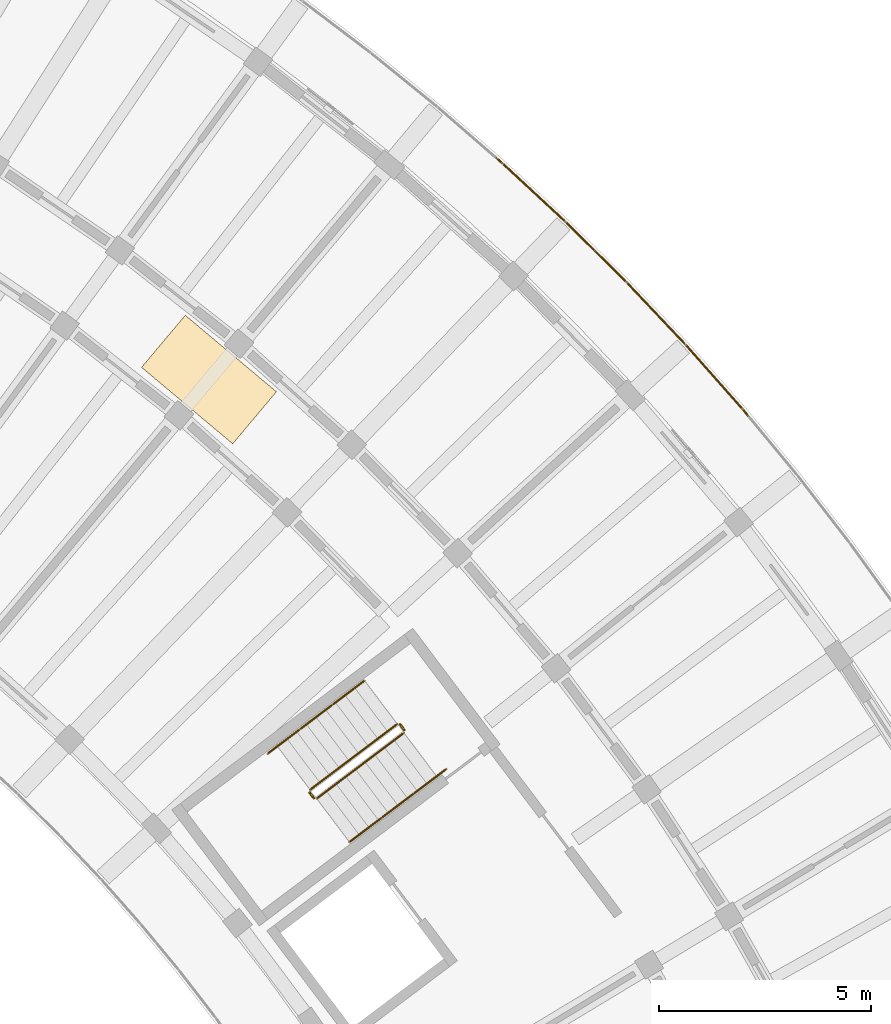
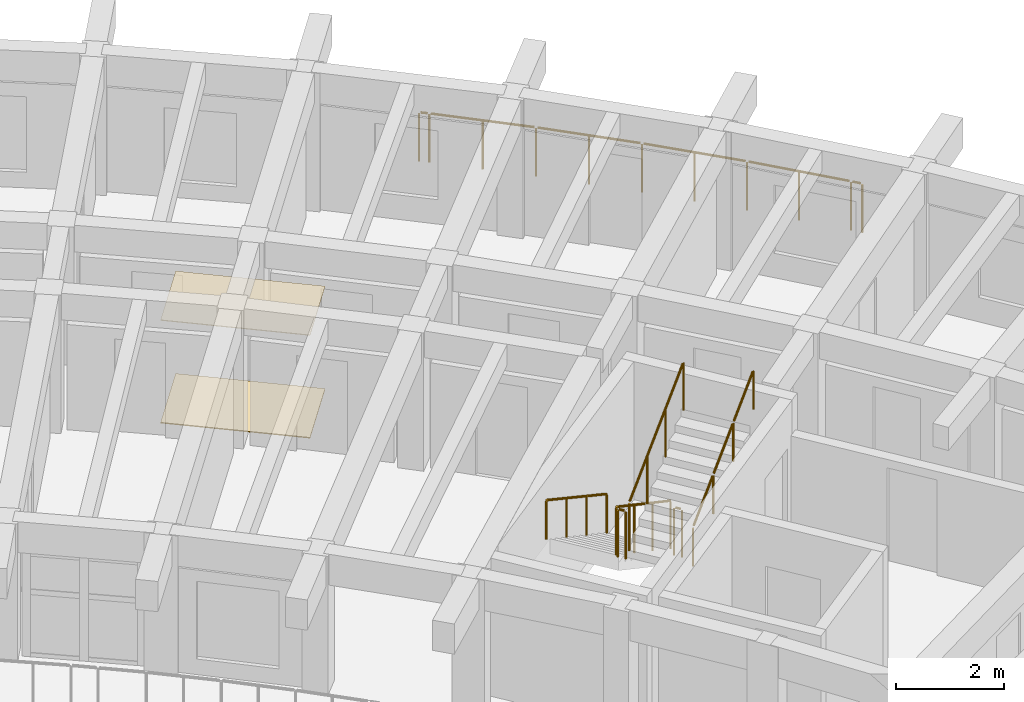
# One storey, part 53 of 56: 11 railings, 2 coverings.
"""IFC4 building model written with IfcOpenShell, lengths in metres."""

from ifc_helpers import new_model, si_unit, direction, frame, origin, origin_2d, place, context, subcontext, project, spatial, rectangle, circle, extrude, material, layer, layer_set, type_object, element, save


model = new_model("IFC4")

# Units and contexts
model_context = context("Model", 3, precision=1e-05, world=origin(), true_north=direction((0.0, 1.0)))
body_context = subcontext(model_context, "Body", "Model", "MODEL_VIEW")
ifc_project = project(units=[si_unit("LENGTHUNIT", "METRE"), si_unit("AREAUNIT", "SQUARE_METRE"), si_unit("VOLUMEUNIT", "CUBIC_METRE"), si_unit("PLANEANGLEUNIT", "RADIAN"), si_unit("MASSUNIT", "GRAM", prefix="KILO")], contexts=[model_context])

# Site, building, storey
site_placement = place(None, origin())
site = spatial("IfcSite", under=ifc_project, at=site_placement, CompositionType="ELEMENT")
building_placement = place(site_placement, origin())
building = spatial("IfcBuilding", under=site, at=building_placement, Name="Tanwirah Colonnade Gardens", CompositionType="ELEMENT")
storey_placement = place(building_placement, frame((0.0, 0.0, 29.0)))
storey = spatial("IfcBuildingStorey", under=building, at=storey_placement, Name="L08", CompositionType="ELEMENT", Elevation=29.0)

# Railing
ifc_material_1 = material(Name="Precast concrete C40/50", Category="concrete")
railing_type_1 = type_object("IfcRailingType", Name="BAL-EXT112", PredefinedType="BALUSTRADE", material=ifc_material_1)
railing_1_placement = place(storey_placement, frame((161.797607421875, 105.974853515625, 0.0)))
element("IfcRailing", 1, at=railing_1_placement, inside=storey, type_object=railing_type_1, Name="Block B L08 Balcony Ribbon Balustrade 14", PredefinedType="BALUSTRADE", context=body_context, shape_type="SweptSolid", body=[
    extrude(circle(Radius=0.02392578125, at=origin_2d()), frame((0.023681640625, -0.0205078125, 1.09619140625), z_axis=(0.755563161002, -0.655075804573, 0.0), x_axis=(0.655075804573, 0.755563161002, 0.0)), (0.0, 0.0, 1.0), 0.12939453125),
    extrude(circle(Radius=0.02392578125, at=origin_2d()), frame((0.16796875, -0.14697265625, 1.09619140625), z_axis=(0.733352454033, -0.679848643569, 0.0), x_axis=(0.679848643569, 0.733352454033, 0.0)), (0.0, 0.0, 1.0), 1.958984375),
    extrude(circle(Radius=0.02392578125, at=origin_2d()), frame((1.649658203125, -1.52197265625, 1.09619140625), z_axis=(0.710480209462, -0.703717181801, 0.0), x_axis=(0.703717181801, 0.710480209462, 0.0)), (0.0, 0.0, 1.0), 1.958984375),
    extrude(circle(Radius=0.02392578125, at=origin_2d()), frame((3.085205078125, -2.9453125, 1.09619140625), z_axis=(0.686960364449, -0.726694886232, 0.0), x_axis=(0.726694886232, 0.686960364449, 0.0)), (0.0, 0.0, 1.0), 1.958984375),
    extrude(circle(Radius=0.02392578125, at=origin_2d()), frame((4.47314453125, -4.4150390625, 1.09619140625), z_axis=(0.662607760508, -0.748966591854, 0.0), x_axis=(0.748966591854, 0.662607760508, 0.0)), (0.0, 0.0, 1.0), 1.958740234375),
    extrude(circle(Radius=0.02392578125, at=origin_2d()), frame((5.811767578125, -5.9296875, 1.09619140625), z_axis=(0.638129498517, -0.769929050707, 0.0), x_axis=(0.769929050707, 0.638129498517, 0.0)), (0.0, 0.0, 1.0), 0.15966796875),
    extrude(circle(Radius=0.02099609375, at=origin_2d()), origin(), (0.0, 0.0, 1.0), 1.069091796875),
    extrude(circle(Radius=0.02099609375, at=origin_2d()), frame((0.14501953125, -0.125732421875, 0.0)), (0.0, 0.0, 1.0), 1.069091796875),
    extrude(circle(Radius=0.02099609375, at=origin_2d()), frame((0.88623046875, -0.81298828125, 0.0)), (0.0, 0.0, 1.0), 1.069091796875),
    extrude(circle(Radius=0.02099609375, at=origin_2d()), frame((1.62744140625, -1.5, 0.0)), (0.0, 0.0, 1.0), 1.069091796875),
    extrude(circle(Radius=0.02099609375, at=origin_2d()), frame((2.345703125, -2.21142578125, 0.0)), (0.0, 0.0, 1.0), 1.069091796875),
    extrude(circle(Radius=0.02099609375, at=origin_2d()), frame((3.063720703125, -2.922607421875, 0.0)), (0.0, 0.0, 1.0), 1.069091796875),
    extrude(circle(Radius=0.02099609375, at=origin_2d()), frame((3.758056640625, -3.6572265625, 0.0)), (0.0, 0.0, 1.0), 1.069091796875),
    extrude(circle(Radius=0.02099609375, at=origin_2d()), frame((4.452392578125, -4.3916015625, 0.0)), (0.0, 0.0, 1.0), 1.069091796875),
    extrude(circle(Radius=0.02099609375, at=origin_2d()), frame((5.1220703125, -5.1484375, 0.0)), (0.0, 0.0, 1.0), 1.069091796875),
    extrude(circle(Radius=0.02099609375, at=origin_2d()), frame((5.791748046875, -5.905517578125, 0.0)), (0.0, 0.0, 1.0), 1.069091796875),
    extrude(circle(Radius=0.02099609375, at=origin_2d()), frame((5.93359375, -6.07666015625, 0.0)), (0.0, 0.0, 1.0), 1.069091796875),
])

# Coverings
ifc_material_2 = material(Name="Acoustic perforated gypsum ceiling board")
ifc_layer_1 = layer(ifc_material_2, 0.014892578125)
ifc_layer_set_1 = layer_set([ifc_layer_1], Name="Acoustic perforated gypsum ceiling board")
covering_type_1 = type_object("IfcCoveringType", Name="COV-CEIL15", PredefinedType="CEILING", material=ifc_layer_set_1)
covering_1_placement = place(storey_placement, frame((155.03564453125, 100.761962890625, 2.3125), z_axis=(0.0, 0.0, 1.0), x_axis=(-0.766044443119, 0.642787609687, 0.0)))
element("IfcCovering", 2, at=covering_1_placement, inside=storey, type_object=covering_type_1, Name="Block B L08 Corridor Acoustic Ceiling", PredefinedType="CEILING", context=body_context, shape_type="SweptSolid", body=[
    extrude(rectangle(XDim=2.800048828125, YDim=1.60009765625, at=origin_2d()), origin(), (0.0, 0.0, 1.0), 0.014892578125),
])
ifc_material_3 = material(Name="Honed Abu Dhabi limestone terrazzo flooring", Category="masonry")
ifc_layer_2 = layer(ifc_material_3, 0.02001953125)
ifc_layer_set_2 = layer_set([ifc_layer_2], Name="Honed Abu Dhabi limestone terrazzo flooring")
covering_type_2 = type_object("IfcCoveringType", Name="COV-FLR20", PredefinedType="FLOORING", material=ifc_layer_set_2)
covering_2_placement = place(storey_placement, frame((155.03564453125, 100.761962890625, 0.0), z_axis=(0.0, 0.0, 1.0), x_axis=(-0.766044443119, 0.642787609687, 0.0)))
element("IfcCovering", 3, at=covering_2_placement, inside=storey, type_object=covering_type_2, Name="Block B L08 Corridor Terrazzo Flooring", PredefinedType="FLOORING", context=body_context, shape_type="SweptSolid", body=[
    extrude(rectangle(XDim=2.800048828125, YDim=1.60009765625, at=origin_2d()), origin(), (0.0, 0.0, 1.0), 0.02001953125),
])

# Railings
ifc_material_4 = material(Name="Powder-coated galvanized steel", Category="steel")
railing_type_2 = type_object("IfcRailingType", Name="GRD-ST110", PredefinedType="GUARDRAIL", material=ifc_material_4)
railing_2_placement = place(storey_placement, frame((159.46435546875, 92.6533203125, 0.16796875)))
element("IfcRailing", 4, at=railing_2_placement, inside=storey, type_object=railing_type_2, Name="L08 ST-B1 stair guard 1", PredefinedType="GUARDRAIL", context=body_context, shape_type="SweptSolid", body=[
    extrude(circle(Radius=0.02392578125, at=origin_2d()), frame((-0.021484375, -0.01611328125, 1.092041015625), z_axis=(-0.687998426946, -0.518417885, 0.507839601678), x_axis=(0.601795686627, -0.798650080797, 0.0)), (0.0, 0.0, 1.0), 2.914794921875),
    extrude(circle(Radius=0.02099609375, at=origin_2d()), origin(), (0.0, 0.0, 1.0), 1.049072265625),
    extrude(circle(Radius=0.02099609375, at=origin_2d()), frame((-0.682861328125, -0.514404296875, 0.50390625)), (0.0, 0.0, 1.0), 1.049072265625),
    extrude(circle(Radius=0.02099609375, at=origin_2d()), frame((-1.365478515625, -1.029052734375, 1.008056640625)), (0.0, 0.0, 1.0), 1.049072265625),
    extrude(circle(Radius=0.02099609375, at=origin_2d()), frame((-2.04833984375, -1.54345703125, 1.511962890625)), (0.0, 0.0, 1.0), 1.049072265625),
])
railing_3_placement = place(storey_placement, frame((157.406005859375, 91.039794921875, 1.679931640625)))
element("IfcRailing", 5, at=railing_3_placement, inside=storey, type_object=railing_type_2, Name="L08 ST-B1 stair guard 2", PredefinedType="GUARDRAIL", context=body_context, shape_type="SweptSolid", body=[
    extrude(circle(Radius=0.02392578125, at=origin_2d()), frame((0.018798828125, -0.02490234375, 1.076171875), z_axis=(0.601948835455, -0.798534657667, 0.0), x_axis=(0.798534657667, 0.601948835455, 0.0)), (0.0, 0.0, 1.0), 0.09765625),
    extrude(circle(Radius=0.02099609375, at=origin_2d()), origin(), (0.0, 0.0, 1.0), 1.049072265625),
    extrude(circle(Radius=0.02099609375, at=origin_2d()), frame((0.096435546875, -0.1279296875, 0.0)), (0.0, 0.0, 1.0), 1.049072265625),
])
railing_4_placement = place(storey_placement, frame((157.572265625, 90.902099609375, 1.847900390625)))
element("IfcRailing", 6, at=railing_4_placement, inside=storey, type_object=railing_type_2, Name="L08 ST-B1 stair guard 3", PredefinedType="GUARDRAIL", context=body_context, shape_type="SweptSolid", body=[
    extrude(circle(Radius=0.02392578125, at=origin_2d()), frame((0.021484375, 0.01611328125, 1.092041015625), z_axis=(0.687983717237, 0.518427010379, 0.507850213868), x_axis=(-0.601810650199, 0.798638805285, 0.0)), (0.0, 0.0, 1.0), 2.9150390625),
    extrude(circle(Radius=0.02099609375, at=origin_2d()), origin(), (0.0, 0.0, 1.0), 1.049072265625),
    extrude(circle(Radius=0.02099609375, at=origin_2d()), frame((0.682861328125, 0.5146484375, 0.504150390625)), (0.0, 0.0, 1.0), 1.049072265625),
    extrude(circle(Radius=0.02099609375, at=origin_2d()), frame((1.36572265625, 1.029052734375, 1.008056640625)), (0.0, 0.0, 1.0), 1.049072265625),
    extrude(circle(Radius=0.02099609375, at=origin_2d()), frame((2.048583984375, 1.543701171875, 1.51220703125)), (0.0, 0.0, 1.0), 1.049072265625),
])
railing_5_placement = place(storey_placement, frame((159.534423828125, 92.6435546875, 0.0)))
element("IfcRailing", 7, at=railing_5_placement, inside=storey, type_object=railing_type_2, Name="L08 ST-B1 stair guard 4", PredefinedType="GUARDRAIL", context=body_context, shape_type="SweptSolid", body=[
    extrude(circle(Radius=0.02392578125, at=origin_2d()), frame((0.018798828125, -0.02490234375, 1.076171875), z_axis=(0.601709070646, -0.798715339969, 0.0), x_axis=(0.798715339969, 0.601709070646, 0.0)), (0.0, 0.0, 1.0), 0.097412109375),
    extrude(circle(Radius=0.02099609375, at=origin_2d()), origin(), (0.0, 0.0, 1.0), 1.049072265625),
    extrude(circle(Radius=0.02099609375, at=origin_2d()), frame((0.09619140625, -0.127685546875, 0.0)), (0.0, 0.0, 1.0), 1.049072265625),
])
ifc_material_5 = material(Name="Brushed bronze stainless steel", Category="steel")
railing_type_3 = type_object("IfcRailingType", Name="HR-ST090", PredefinedType="HANDRAIL", material=ifc_material_5)
railing_6_placement = place(storey_placement, frame((158.694091796875, 93.67578125, 0.16796875)))
element("IfcRailing", 8, at=railing_6_placement, inside=storey, type_object=railing_type_3, Name="L08 ST-B1 stair handrail 1", PredefinedType="HANDRAIL", context=body_context, shape_type="SweptSolid", body=[
    extrude(circle(Radius=0.02392578125, at=origin_2d()), frame((-0.021484375, -0.01611328125, 0.891845703125), z_axis=(-0.686145346169, -0.517037451972, 0.51173903231), x_axis=(0.601807485929, -0.798641189696, 0.0)), (0.0, 0.0, 1.0), 1.04345703125),
    extrude(circle(Radius=0.02099609375, at=origin_2d()), origin(), (0.0, 0.0, 1.0), 0.848876953125),
    extrude(circle(Radius=0.02099609375, at=origin_2d()), frame((-0.7587890625, -0.57177734375, 0.56591796875)), (0.0, 0.0, 1.0), 0.848876953125),
])
railing_7_placement = place(storey_placement, frame((157.935302734375, 93.10400390625, 0.73388671875)))
element("IfcRailing", 9, at=railing_7_placement, inside=storey, type_object=railing_type_3, Name="L08 ST-B1 stair handrail 2", PredefinedType="HANDRAIL", context=body_context, shape_type="SweptSolid", body=[
    extrude(circle(Radius=0.02392578125, at=origin_2d()), frame((-0.021484375, -0.01611328125, 0.891845703125), z_axis=(-0.685950957095, -0.517057335538, 0.511979488092), x_axis=(0.601931007785, -0.798548096152, 0.0)), (0.0, 0.0, 1.0), 1.043212890625),
    extrude(circle(Radius=0.02099609375, at=origin_2d()), origin(), (0.0, 0.0, 1.0), 0.848876953125),
    extrude(circle(Radius=0.02099609375, at=origin_2d()), frame((-0.758544921875, -0.57177734375, 0.566162109375)), (0.0, 0.0, 1.0), 0.848876953125),
])
railing_8_placement = place(storey_placement, frame((157.1767578125, 92.5322265625, 1.300048828125)))
element("IfcRailing", 10, at=railing_8_placement, inside=storey, type_object=railing_type_3, Name="L08 ST-B1 stair handrail 3", PredefinedType="HANDRAIL", context=body_context, shape_type="SweptSolid", body=[
    extrude(circle(Radius=0.02392578125, at=origin_2d()), frame((-0.021484375, -0.01611328125, 0.891845703125), z_axis=(-0.686145346169, -0.517037451972, 0.51173903231), x_axis=(0.601807485929, -0.798641189696, 0.0)), (0.0, 0.0, 1.0), 1.04345703125),
    extrude(circle(Radius=0.02099609375, at=origin_2d()), origin(), (0.0, 0.0, 1.0), 0.848876953125),
    extrude(circle(Radius=0.02099609375, at=origin_2d()), frame((-0.7587890625, -0.57177734375, 0.56591796875)), (0.0, 0.0, 1.0), 0.848876953125),
])
railing_9_placement = place(storey_placement, frame((158.3427734375, 89.8798828125, 1.847900390625)))
element("IfcRailing", 11, at=railing_9_placement, inside=storey, type_object=railing_type_3, Name="L08 ST-B1 stair handrail 4", PredefinedType="HANDRAIL", context=body_context, shape_type="SweptSolid", body=[
    extrude(circle(Radius=0.02392578125, at=origin_2d()), frame((0.021484375, 0.01611328125, 0.891845703125), z_axis=(0.685950957095, 0.517057335538, 0.511979488092), x_axis=(-0.601931007785, 0.798548096152, 0.0)), (0.0, 0.0, 1.0), 1.043212890625),
    extrude(circle(Radius=0.02099609375, at=origin_2d()), origin(), (0.0, 0.0, 1.0), 0.848876953125),
    extrude(circle(Radius=0.02099609375, at=origin_2d()), frame((0.758544921875, 0.57177734375, 0.566162109375)), (0.0, 0.0, 1.0), 0.848876953125),
])
railing_10_placement = place(storey_placement, frame((159.101318359375, 90.45166015625, 2.4140625)))
element("IfcRailing", 12, at=railing_10_placement, inside=storey, type_object=railing_type_3, Name="L08 ST-B1 stair handrail 5", PredefinedType="HANDRAIL", context=body_context, shape_type="SweptSolid", body=[
    extrude(circle(Radius=0.02392578125, at=origin_2d()), frame((0.021484375, 0.01611328125, 0.891845703125), z_axis=(0.686145346169, 0.517037451972, 0.51173903231), x_axis=(-0.601807485929, 0.798641189696, 0.0)), (0.0, 0.0, 1.0), 1.04345703125),
    extrude(circle(Radius=0.02099609375, at=origin_2d()), origin(), (0.0, 0.0, 1.0), 0.848876953125),
    extrude(circle(Radius=0.02099609375, at=origin_2d()), frame((0.7587890625, 0.57177734375, 0.56591796875)), (0.0, 0.0, 1.0), 0.848876953125),
])
railing_11_placement = place(storey_placement, frame((159.860107421875, 91.0234375, 2.97998046875)))
element("IfcRailing", 13, at=railing_11_placement, inside=storey, type_object=railing_type_3, Name="L08 ST-B1 stair handrail 6", PredefinedType="HANDRAIL", context=body_context, shape_type="SweptSolid", body=[
    extrude(circle(Radius=0.02392578125, at=origin_2d()), frame((0.021484375, 0.01611328125, 0.891845703125), z_axis=(0.686223662955, 0.51687567406, 0.51179744232), x_axis=(-0.601643549736, 0.798764695677, 0.0)), (0.0, 0.0, 1.0), 1.043212890625),
    extrude(circle(Radius=0.02099609375, at=origin_2d()), origin(), (0.0, 0.0, 1.0), 0.848876953125),
    extrude(circle(Radius=0.02099609375, at=origin_2d()), frame((0.7587890625, 0.571533203125, 0.56591796875)), (0.0, 0.0, 1.0), 0.848876953125),
])

save(model, "model.ifc")
